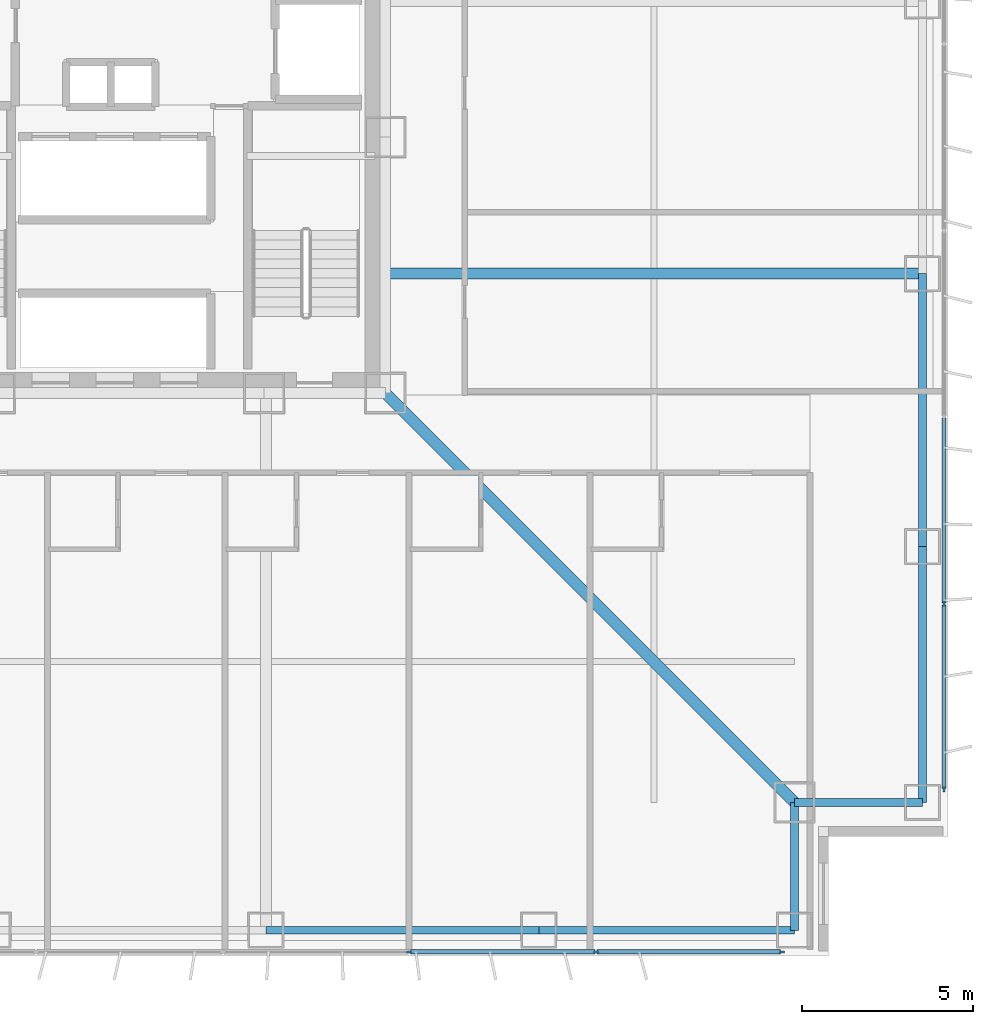
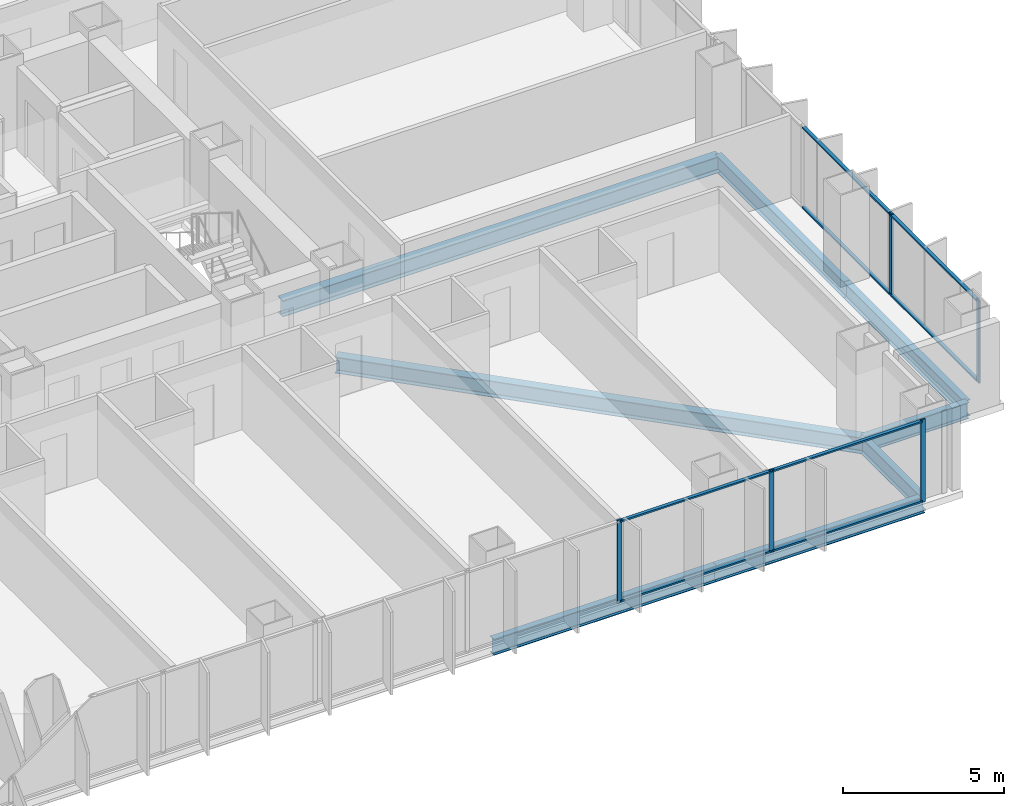
# One storey, part 6 of 19: 13 members, 8 beams, 2 elements without a shape of their own.
"""IFC4 building model written with IfcOpenShell, lengths in metres."""

from ifc_helpers import new_model, si_unit, direction, frame, origin, origin_2d, place, context, subcontext, project, spatial, rectangle, i_section, extrude, material, layer, layer_set, material_profile, profile_set, type_object, element, aggregate, save


model = new_model("IFC4")

# Units and contexts
model_context = context("Model", 3, precision=1e-05, world=origin(), true_north=direction((0.0, 1.0)))
body_context = subcontext(model_context, "Body", "Model", "MODEL_VIEW")
ifc_project = project(units=[si_unit("LENGTHUNIT", "METRE"), si_unit("AREAUNIT", "SQUARE_METRE"), si_unit("VOLUMEUNIT", "CUBIC_METRE"), si_unit("PLANEANGLEUNIT", "RADIAN"), si_unit("MASSUNIT", "GRAM", prefix="KILO")], contexts=[model_context])

# Site, building, storey
site_placement = place(None, origin())
site = spatial("IfcSite", under=ifc_project, at=site_placement, CompositionType="ELEMENT")
building_placement = place(site_placement, origin())
building = spatial("IfcBuilding", under=site, at=building_placement, Name="Trevonay Congress Spire", CompositionType="ELEMENT")
storey_placement = place(building_placement, frame((0.0, 0.0, 79.5)))
storey = spatial("IfcBuildingStorey", under=building, at=storey_placement, Name="L20", CompositionType="ELEMENT", Elevation=79.5)

# Beams
ifc_material_1 = material(Name="Steel ASTM A572 Grade 50", Category="steel")
ifc_material_profile_1 = material_profile(ifc_material_1, i_section(OverallWidth=0.324951171875, OverallDepth=0.615966796875, WebThickness=0.013916015625, FlangeThickness=0.021484375, FilletRadius=0.01806640625, at=origin_2d()), Name="W610x174")
ifc_profile_set_1 = profile_set([ifc_material_profile_1], Name="Steel ASTM A572 Grade 50")
beam_type_1 = type_object("IfcBeamType", Name="BM-GIRD-W610X174", PredefinedType="BEAM", material=ifc_profile_set_1)
beam_1_placement = place(storey_placement, frame((7.5, -7.5, -0.55810546875), z_axis=(0.707106781187, -0.707106781187, 0.0), x_axis=(0.707106781187, 0.707106781187, 0.0)))
element("IfcBeam", 1, at=beam_1_placement, inside=storey, type_object=beam_type_1, Name="L20 structural beam BM-L20-CDSE", PredefinedType="BEAM", context=body_context, shape_type="SweptSolid", body=[
    extrude(i_section(OverallWidth=0.324951171875, OverallDepth=0.615966796875, WebThickness=0.013916015625, FlangeThickness=0.021484375, FilletRadius=0.01806640625, at=origin_2d()), origin(), (0.0, 0.0, 1.0), 16.970458984375),
])
beam_2_placement = place(storey_placement, frame((7.5, -4.0, -0.55810546875), z_axis=(1.0, 0.0, 0.0), x_axis=(0.0, 1.0, 0.0)))
element("IfcBeam", 2, at=beam_2_placement, inside=storey, type_object=beam_type_1, Name="L20 structural beam BM-L20-GE-M", PredefinedType="BEAM", context=body_context, shape_type="SweptSolid", body=[
    extrude(i_section(OverallWidth=0.324951171875, OverallDepth=0.615966796875, WebThickness=0.013916015625, FlangeThickness=0.021484375, FilletRadius=0.01806640625, at=origin_2d()), origin(), (0.0, 0.0, 1.0), 15.75),
])
ifc_material_profile_2 = material_profile(ifc_material_1, i_section(OverallWidth=0.22998046875, OverallDepth=0.616943359375, WebThickness=0.01318359375, FlangeThickness=0.022216796875, FilletRadius=0.01611328125, at=origin_2d()), Name="W610x140")
ifc_profile_set_2 = profile_set([ifc_material_profile_2], Name="Steel ASTM A572 Grade 50")
beam_type_2 = type_object("IfcBeamType", Name="BM-RING-W610X140", PredefinedType="BEAM", material=ifc_profile_set_2)
beam_3_placement = place(storey_placement, frame((23.25, -19.5, -0.55859375), z_axis=(0.0, 1.0, 0.0), x_axis=(-1.0, 0.0, 0.0)))
element("IfcBeam", 3, at=beam_3_placement, inside=storey, type_object=beam_type_2, Name="L20 structural beam BM-L20-PE1", PredefinedType="BEAM", context=body_context, shape_type="SweptSolid", body=[
    extrude(i_section(OverallWidth=0.22998046875, OverallDepth=0.616943359375, WebThickness=0.01318359375, FlangeThickness=0.022216796875, FilletRadius=0.01611328125, at=origin_2d()), origin(), (0.0, 0.0, 1.0), 7.5),
])
for number, where, z_axis, x_axis, name in (
    (4, (23.25, -12.0, -0.55859375), (0.0, 1.0, 0.0), (-1.0, 0.0, 0.0), "L20 structural beam BM-L20-PE2"),
    (5, (4.0, -23.25, -0.55859375), (1.0, 0.0, 0.0), (0.0, 1.0, 0.0), "L20 structural beam BM-L20-PS4"),
):
    element("IfcBeam", number, at=place(storey_placement, frame(where, z_axis=z_axis, x_axis=x_axis)), inside=storey, type_object=beam_type_2, Name=name, PredefinedType="BEAM", context=body_context, shape_type="SweptSolid", body=[
        extrude(i_section(OverallWidth=0.22998046875, OverallDepth=0.616943359375, WebThickness=0.01318359375, FlangeThickness=0.022216796875, FilletRadius=0.01611328125, at=origin_2d()), origin(), (0.0, 0.0, 1.0), 8.0),
    ])
beam_4_placement = place(storey_placement, frame((12.0, -23.25, -0.55859375), z_axis=(1.0, 0.0, 0.0), x_axis=(0.0, 1.0, 0.0)))
element("IfcBeam", 6, at=beam_4_placement, inside=storey, type_object=beam_type_2, Name="L20 structural beam BM-L20-PS5", PredefinedType="BEAM", context=body_context, shape_type="SweptSolid", body=[
    extrude(i_section(OverallWidth=0.22998046875, OverallDepth=0.616943359375, WebThickness=0.01318359375, FlangeThickness=0.022216796875, FilletRadius=0.01611328125, at=origin_2d()), origin(), (0.0, 0.0, 1.0), 7.5),
])
for number, where, z_axis, x_axis, name in (
    (7, (19.5, -23.25, -0.55859375), (0.0, 1.0, 0.0), (-1.0, 0.0, 0.0), "L20 structural beam BM-L20-N1SE"),
    (8, (23.25, -19.5, -0.55859375), (-1.0, 0.0, 0.0), (0.0, -1.0, 0.0), "L20 structural beam BM-L20-N2SE"),
):
    element("IfcBeam", number, at=place(storey_placement, frame(where, z_axis=z_axis, x_axis=x_axis)), inside=storey, type_object=beam_type_2, Name=name, PredefinedType="BEAM", context=body_context, shape_type="SweptSolid", body=[
        extrude(i_section(OverallWidth=0.22998046875, OverallDepth=0.616943359375, WebThickness=0.01318359375, FlangeThickness=0.022216796875, FilletRadius=0.01611328125, at=origin_2d()), origin(), (0.0, 0.0, 1.0), 3.75),
    ])

# Curtain wall, members
ifc_material_2 = material(Name="Pale Anodised Aluminium EN AW-6063-T6", Category="aluminium")
ifc_layer = layer(ifc_material_2, 0.179931640625, Name="Pale Anodised Aluminium EN AW-6063-T6")
ifc_layer_set = layer_set([ifc_layer], Name="Pale Anodised Aluminium EN AW-6063-T6")
curtain_wall_type = type_object("IfcCurtainWallType", Name="CW-SYS02-HOTEL-PALE-METAL", PredefinedType="NOTDEFINED", material=ifc_layer_set)
curtain_wall_1_placement = place(storey_placement, origin())
curtain_wall_1 = element("IfcCurtainWall", 9, at=curtain_wall_1_placement, inside=storey, type_object=curtain_wall_type, Name="L20 S unitised curtain wall", PredefinedType="NOTDEFINED")
ifc_material_profile_3 = material_profile(ifc_material_2, rectangle(XDim=0.06005859375, YDim=0.159912109375, at=origin_2d()), Name="CW-MULLION-160-ALUMINIUM")
ifc_profile_set_3 = profile_set([ifc_material_profile_3], Name="Pale Anodised Aluminium EN AW-6063-T6")
member_type_1 = type_object("IfcMemberType", Name="CW-MULLION-160-ALUMINIUM", PredefinedType="MULLION", material=ifc_profile_set_3)
member_1_placement = place(storey_placement, frame((8.20703125, -23.8798828125, 0.0), z_axis=(0.0, 0.0, 1.0), x_axis=(0.0, 1.0, 0.0)))
member_1 = element("IfcMember", 10, at=member_1_placement, type_object=member_type_1, Name="CW02 mullion 6", PredefinedType="MULLION", context=body_context, shape_type="SweptSolid", body=[
    extrude(rectangle(XDim=0.06005859375, YDim=0.159912109375, at=origin_2d()), origin(), (0.0, 0.0, 1.0), 3.14990234375),
])
member_2_placement = place(storey_placement, frame((13.678466796875, -23.8798828125, 0.0), z_axis=(0.0, 0.0, 1.0), x_axis=(0.0, 1.0, 0.0)))
member_2 = element("IfcMember", 11, at=member_2_placement, type_object=member_type_1, Name="CW02 mullion 7", PredefinedType="MULLION", context=body_context, shape_type="SweptSolid", body=[
    extrude(rectangle(XDim=0.06005859375, YDim=0.159912109375, at=origin_2d()), origin(), (0.0, 0.0, 1.0), 3.14990234375),
])
member_3_placement = place(storey_placement, frame((19.1201171875, -23.8798828125, 0.0), z_axis=(0.0, 0.0, 1.0), x_axis=(0.0, 1.0, 0.0)))
member_3 = element("IfcMember", 12, at=member_3_placement, type_object=member_type_1, Name="CW02 mullion 8", PredefinedType="MULLION", context=body_context, shape_type="SweptSolid", body=[
    extrude(rectangle(XDim=0.06005859375, YDim=0.159912109375, at=origin_2d()), origin(), (0.0, 0.0, 1.0), 3.14990234375),
])

curtain_wall_2_placement = place(storey_placement, origin())
curtain_wall_2 = element("IfcCurtainWall", 13, at=curtain_wall_2_placement, inside=storey, type_object=curtain_wall_type, Name="L20 E unitised curtain wall", PredefinedType="NOTDEFINED")
member_4_placement = place(storey_placement, frame((23.8798828125, -19.1201171875, 0.0), z_axis=(0.0, 0.0, 1.0), x_axis=(-1.0, 0.0, 0.0)))
member_4 = element("IfcMember", 14, at=member_4_placement, type_object=member_type_1, Name="CW02 mullion 1", PredefinedType="MULLION", context=body_context, shape_type="SweptSolid", body=[
    extrude(rectangle(XDim=0.06005859375, YDim=0.159912109375, at=origin_2d()), origin(), (0.0, 0.0, 1.0), 3.14990234375),
])
member_5_placement = place(storey_placement, frame((23.8798828125, -13.678466796875, 0.0), z_axis=(0.0, 0.0, 1.0), x_axis=(-1.0, 0.0, 0.0)))
member_5 = element("IfcMember", 15, at=member_5_placement, type_object=member_type_1, Name="CW02 mullion 2", PredefinedType="MULLION", context=body_context, shape_type="SweptSolid", body=[
    extrude(rectangle(XDim=0.06005859375, YDim=0.159912109375, at=origin_2d()), origin(), (0.0, 0.0, 1.0), 3.14990234375),
])

# Member
ifc_material_profile_4 = material_profile(ifc_material_2, rectangle(XDim=0.1201171875, YDim=0.06005859375, at=origin_2d()), Name="CW-TRANSOM-120-ALUMINIUM")
ifc_profile_set_4 = profile_set([ifc_material_profile_4], Name="Pale Anodised Aluminium EN AW-6063-T6")
member_type_2 = type_object("IfcMemberType", Name="CW-TRANSOM-120-ALUMINIUM", PredefinedType="USERDEFINED", material=ifc_profile_set_4)
member_6_placement = place(storey_placement, frame((8.237060546875, -23.8798828125, 0.06005859375), z_axis=(1.0, 0.0, 0.0), x_axis=(0.0, 1.0, 0.0)))
member_6 = element("IfcMember", 16, at=member_6_placement, type_object=member_type_2, Name="CW02 transom 6.1", ObjectType="TRANSOM", PredefinedType="USERDEFINED", context=body_context, shape_type="SweptSolid", body=[
    extrude(rectangle(XDim=0.1201171875, YDim=0.06005859375, at=origin_2d()), origin(), (0.0, 0.0, 1.0), 5.41162109375),
])

member_7_placement = place(storey_placement, frame((8.237060546875, -23.8798828125, 3.090087890625), z_axis=(1.0, 0.0, 0.0), x_axis=(0.0, 1.0, 0.0)))
member_7 = element("IfcMember", 17, at=member_7_placement, type_object=member_type_2, Name="CW02 transom 6.2", ObjectType="TRANSOM", PredefinedType="USERDEFINED", context=body_context, shape_type="SweptSolid", body=[
    extrude(rectangle(XDim=0.1201171875, YDim=0.06005859375, at=origin_2d()), origin(), (0.0, 0.0, 1.0), 5.41162109375),
])

member_8_placement = place(storey_placement, frame((13.70849609375, -23.8798828125, 0.06005859375), z_axis=(1.0, 0.0, 0.0), x_axis=(0.0, 1.0, 0.0)))
member_8 = element("IfcMember", 18, at=member_8_placement, type_object=member_type_2, Name="CW02 transom 7.1", ObjectType="TRANSOM", PredefinedType="USERDEFINED", context=body_context, shape_type="SweptSolid", body=[
    extrude(rectangle(XDim=0.1201171875, YDim=0.06005859375, at=origin_2d()), origin(), (0.0, 0.0, 1.0), 5.381591796875),
])

member_9_placement = place(storey_placement, frame((13.70849609375, -23.8798828125, 3.090087890625), z_axis=(1.0, 0.0, 0.0), x_axis=(0.0, 1.0, 0.0)))
member_9 = element("IfcMember", 19, at=member_9_placement, type_object=member_type_2, Name="CW02 transom 7.2", ObjectType="TRANSOM", PredefinedType="USERDEFINED", context=body_context, shape_type="SweptSolid", body=[
    extrude(rectangle(XDim=0.1201171875, YDim=0.06005859375, at=origin_2d()), origin(), (0.0, 0.0, 1.0), 5.381591796875),
])

aggregate(curtain_wall_1, [member_1, member_2, member_3, member_6, member_7, member_8, member_9])

member_10_placement = place(storey_placement, frame((23.8798828125, -19.090087890625, 0.06005859375), z_axis=(0.0, 1.0, 0.0), x_axis=(-1.0, 0.0, 0.0)))
member_10 = element("IfcMember", 20, at=member_10_placement, type_object=member_type_2, Name="CW02 transom 1.1", ObjectType="TRANSOM", PredefinedType="USERDEFINED", context=body_context, shape_type="SweptSolid", body=[
    extrude(rectangle(XDim=0.1201171875, YDim=0.06005859375, at=origin_2d()), origin(), (0.0, 0.0, 1.0), 5.381591796875),
])

member_11_placement = place(storey_placement, frame((23.8798828125, -19.090087890625, 3.090087890625), z_axis=(0.0, 1.0, 0.0), x_axis=(-1.0, 0.0, 0.0)))
member_11 = element("IfcMember", 21, at=member_11_placement, type_object=member_type_2, Name="CW02 transom 1.2", ObjectType="TRANSOM", PredefinedType="USERDEFINED", context=body_context, shape_type="SweptSolid", body=[
    extrude(rectangle(XDim=0.1201171875, YDim=0.06005859375, at=origin_2d()), origin(), (0.0, 0.0, 1.0), 5.381591796875),
])

member_12_placement = place(storey_placement, frame((23.8798828125, -13.648681640625, 0.06005859375), z_axis=(0.0, 1.0, 0.0), x_axis=(-1.0, 0.0, 0.0)))
member_12 = element("IfcMember", 22, at=member_12_placement, type_object=member_type_2, Name="CW02 transom 2.1", ObjectType="TRANSOM", PredefinedType="USERDEFINED", context=body_context, shape_type="SweptSolid", body=[
    extrude(rectangle(XDim=0.1201171875, YDim=0.06005859375, at=origin_2d()), origin(), (0.0, 0.0, 1.0), 5.41162109375),
])

member_13_placement = place(storey_placement, frame((23.8798828125, -13.648681640625, 3.090087890625), z_axis=(0.0, 1.0, 0.0), x_axis=(-1.0, 0.0, 0.0)))
member_13 = element("IfcMember", 23, at=member_13_placement, type_object=member_type_2, Name="CW02 transom 2.2", ObjectType="TRANSOM", PredefinedType="USERDEFINED", context=body_context, shape_type="SweptSolid", body=[
    extrude(rectangle(XDim=0.1201171875, YDim=0.06005859375, at=origin_2d()), origin(), (0.0, 0.0, 1.0), 5.41162109375),
])

aggregate(curtain_wall_2, [member_4, member_5, member_10, member_11, member_12, member_13])

save(model, "model.ifc")
